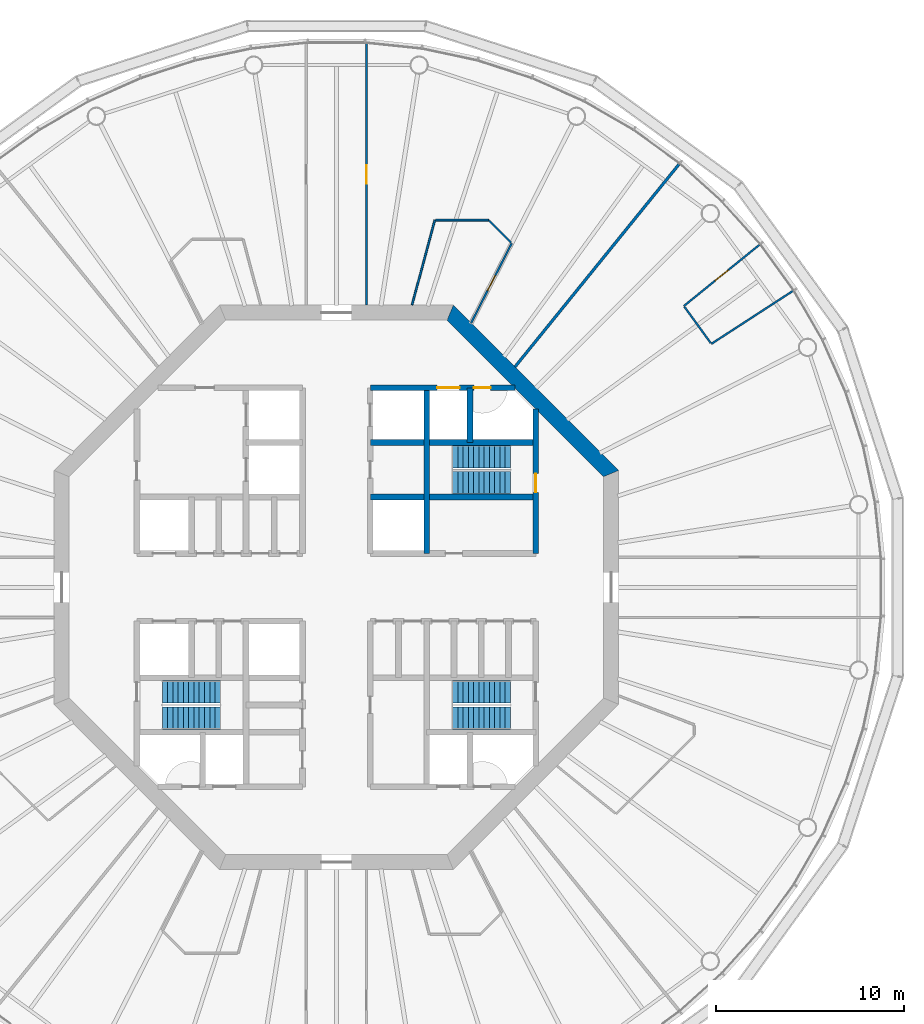
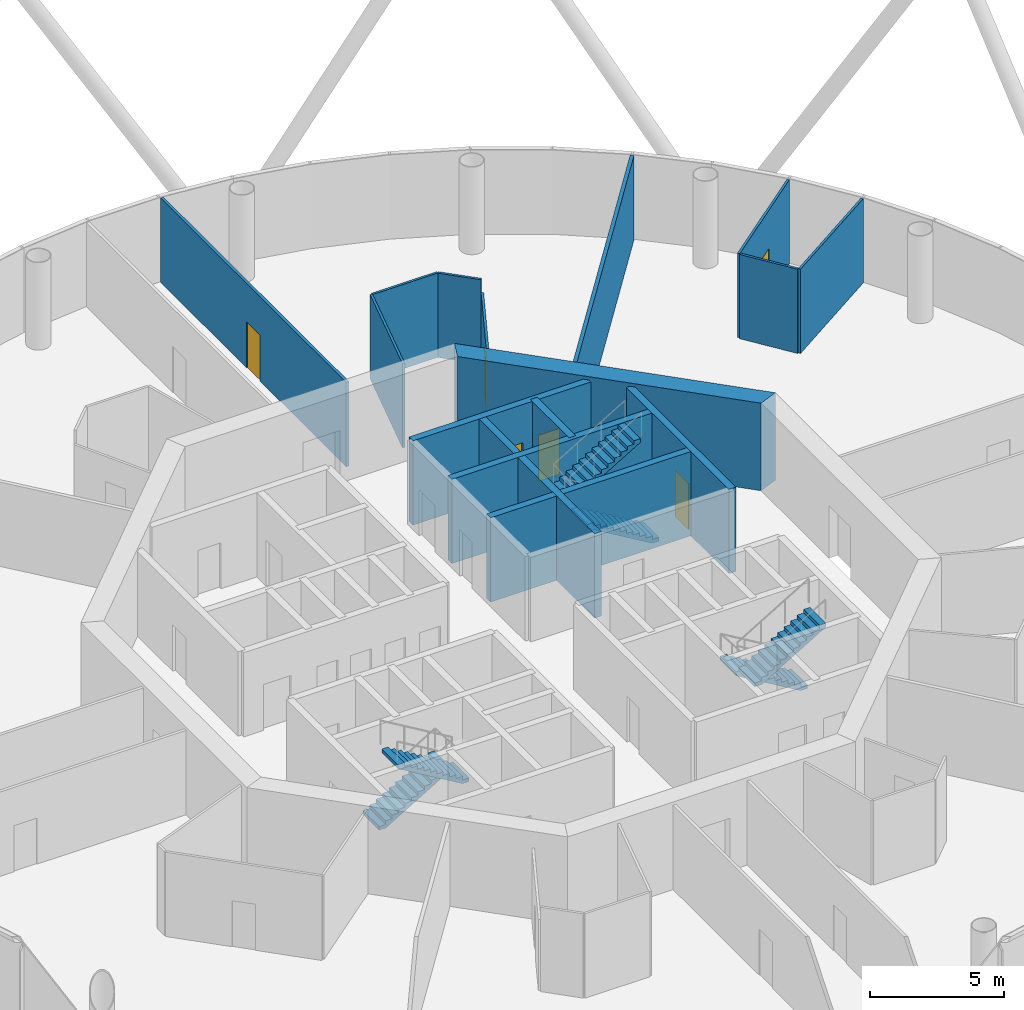
# One storey, part 6 of 13: 16 walls, 6 doors, 6 stair flights, 6 openings, 3 elements without a shape of their own.
"""IFC4 building model written with IfcOpenShell, lengths in metres."""

import ifcopenshell
import ifcopenshell.guid

model = None  # the IFC model being written
_history = None  # IfcOwnerHistory: only IFC2X3 demands one
_inside = {}  # id of a spatial element -> (the spatial element, [elements in it])
_under = {}  # id of a project, library or spatial element -> (it, [spatial elements below it])
_declared = {}  # id of a project -> (the project, [libraries it declares])
_typed = {}  # id of a type object -> (the type object, [elements of that type])
_made_of = {}  # id of a material, layer set ... -> (it, [elements and type objects made of it])


def new_model(schema):
    """Start an empty IFC model of exactly this schema.

    Asked for "IFC4X3", IfcOpenShell would pick the latest addendum, in which some entities
    have other attributes; the version numbers below select the first issue.
    IFC2X3 requires an IfcOwnerHistory on every rooted entity: one is made here for all.
    """
    global model, _history
    if schema == "IFC4X3":
        model = ifcopenshell.file(schema_version=(4, 3, 0, 0))
    else:
        model = ifcopenshell.file(schema=schema)
    _inside.clear()
    _under.clear()
    _declared.clear()
    _typed.clear()
    _made_of.clear()
    _history = None
    if model.schema == "IFC2X3":
        org = make("IfcOrganization", Name="unknown")
        user = make(
            "IfcPersonAndOrganization",
            ThePerson=make("IfcPerson", FamilyName="unknown"),
            TheOrganization=org,
        )
        app = make(
            "IfcApplication",
            ApplicationDeveloper=org,
            Version="unknown",
            ApplicationFullName="unknown",
            ApplicationIdentifier="unknown",
        )
        _history = make(
            "IfcOwnerHistory",
            OwningUser=user,
            OwningApplication=app,
            ChangeAction="ADDED",
            CreationDate=0,
        )
    return model


def make(cls, **values):
    """One entity of the class cls with the attributes given. An attribute that is None is left unset."""
    return model.create_entity(
        cls, **{name: value for name, value in values.items() if value is not None}
    )


def rooted(cls, **values):
    """An entity with a GlobalId (a new one), such as an element, a storey or a relation."""
    return make(cls, GlobalId=ifcopenshell.guid.new(), OwnerHistory=_history, **values)


def si_unit(unit_type, name, prefix=None):
    """IfcSIUnit, for example si_unit("LENGTHUNIT", "METRE", prefix="MILLI")."""
    return make("IfcSIUnit", UnitType=unit_type, Prefix=prefix, Name=name)


def assignment(units):
    """IfcUnitAssignment: the units of a project."""
    return None if units is None else make("IfcUnitAssignment", Units=units)


def point(xyz):
    """IfcCartesianPoint."""
    return None if xyz is None else make("IfcCartesianPoint", Coordinates=xyz)


def direction(xyz):
    """IfcDirection."""
    return None if xyz is None else make("IfcDirection", DirectionRatios=xyz)


def frame(location, z_axis=None, x_axis=None):
    """IfcAxis2Placement3D, a coordinate frame: its origin and axes. An axis left out is left unset."""
    return make(
        "IfcAxis2Placement3D",
        Location=point(location),
        Axis=direction(z_axis),
        RefDirection=direction(x_axis),
    )


def frame_2d(location, x_axis=None):
    """IfcAxis2Placement2D, a coordinate frame in the plane: its origin and x axis."""
    return make(
        "IfcAxis2Placement2D", Location=point(location), RefDirection=direction(x_axis)
    )


def origin():
    """The frame at (0, 0, 0) with its axes left unset."""
    return frame((0.0, 0.0, 0.0))


def place(relative_to, where):
    """IfcLocalPlacement: puts the frame where relative to a parent placement (None: the world)."""
    return make(
        "IfcLocalPlacement", PlacementRelTo=relative_to, RelativePlacement=where
    )


def context(
    kind, dimensions, precision=None, world=None, true_north=None, identifier=None
):
    """IfcGeometricRepresentationContext, for example the 3D "Model" context."""
    return make(
        "IfcGeometricRepresentationContext",
        ContextIdentifier=identifier,
        ContextType=kind,
        CoordinateSpaceDimension=dimensions,
        Precision=precision,
        WorldCoordinateSystem=world,
        TrueNorth=true_north,
    )


def subcontext(parent, identifier, kind, view, scale=None):
    """IfcGeometricRepresentationSubContext, for example "Body" below "Model"."""
    return make(
        "IfcGeometricRepresentationSubContext",
        ContextIdentifier=identifier,
        ContextType=kind,
        ParentContext=parent,
        TargetScale=scale,
        TargetView=view,
    )


def project(units=None, contexts=None):
    """IfcProject with its units and contexts."""
    return rooted(
        "IfcProject",
        Name="project",
        RepresentationContexts=contexts,
        UnitsInContext=assignment(units),
    )


def spatial(cls, under=None, at=None, **own):
    """A site, building, storey or space (cls), placed at a placement, below another one or the project."""
    s = rooted(cls, ObjectPlacement=at, **own)
    if under is not None:
        _under.setdefault(under.id(), (under, []))[1].append(s)
    return s


def polyline(points):
    """IfcPolyline through the points."""
    return make("IfcPolyline", Points=[point(p) for p in points])


def profile(cls, at=None, kind="AREA", **sizes):
    """A parametric profile (cls). Its sizes go by their IFC names, for example OverallWidth=200.0."""
    return make(cls, ProfileType=kind, Position=at, **sizes)


def rectangle(**sizes):
    """IfcRectangleProfileDef."""
    return profile("IfcRectangleProfileDef", **sizes)


def outline(outer, holes=None, kind="AREA"):
    """IfcArbitraryClosedProfileDef: a profile drawn as a closed curve; with holes, ...WithVoids."""
    if holes is None:
        return make("IfcArbitraryClosedProfileDef", ProfileType=kind, OuterCurve=outer)
    return make(
        "IfcArbitraryProfileDefWithVoids",
        ProfileType=kind,
        OuterCurve=outer,
        InnerCurves=holes,
    )


def extrude(swept, where, along, depth):
    """IfcExtrudedAreaSolid: the profile swept, set in the frame where, extruded along a direction by depth."""
    return make(
        "IfcExtrudedAreaSolid",
        SweptArea=swept,
        Position=where,
        ExtrudedDirection=direction(along),
        Depth=depth,
    )


def shape(context_of_items, identifier, shape_type, items):
    """IfcShapeRepresentation: the items that make up one representation, for example the "Body"."""
    return make(
        "IfcShapeRepresentation",
        ContextOfItems=context_of_items,
        RepresentationIdentifier=identifier,
        RepresentationType=shape_type,
        Items=items,
    )


def material(Name=None, Category=None):
    """IfcMaterial."""
    return make("IfcMaterial", Name=Name, Category=Category)


def layer(
    of_material, thickness, ventilated=None, Name=None, Category=None, Priority=None
):
    """IfcMaterialLayer: one layer of a wall or slab, of a material (None: an air gap)."""
    return make(
        "IfcMaterialLayer",
        Material=of_material,
        LayerThickness=thickness,
        IsVentilated=ventilated,
        Name=Name,
        Category=Category,
        Priority=Priority,
    )


def layer_set(layers, Name=None):
    """IfcMaterialLayerSet."""
    return make("IfcMaterialLayerSet", MaterialLayers=layers, LayerSetName=Name)


def made_of(thing, what):
    """Note that an element or type object is made of a material, layer set ...; save() writes the relation."""
    if what is not None:
        _made_of.setdefault(what.id(), (what, []))[1].append(thing)
    return thing


def type_object(cls, material=None, **own):
    """A type object (cls), such as IfcWallType, which elements share."""
    return made_of(rooted(cls, **own), material)


def element(
    cls,
    number,
    at=None,
    inside=None,
    cuts=None,
    type_object=None,
    material=None,
    context=None,
    identifier="Body",
    shape_type=None,
    held_by="IfcProductDefinitionShape",
    body=None,
    shapes=None,
    **own,
):
    """One element of the class cls, such as IfcWall. Its Tag is "e" and its number.

    at: its placement. inside: the storey or other place that contains it. cuts: it is an
    opening in that element (IfcRelVoidsElement). A single representation is given by context,
    identifier, shape_type and body (its items); several are given by shapes. held_by: the class
    of the entity that holds the representations. save() writes the other relations.
    """
    e = rooted(cls, Tag="e%d" % number, ObjectPlacement=at, **own)
    if body is not None:
        shapes = [shape(context, identifier, shape_type, body)]
    if shapes is not None:
        e.Representation = make(held_by, Representations=shapes)
    if inside is not None:
        _inside.setdefault(inside.id(), (inside, []))[1].append(e)
    if cuts is not None:
        rooted(
            "IfcRelVoidsElement", RelatingBuildingElement=cuts, RelatedOpeningElement=e
        )
    if type_object is not None:
        _typed.setdefault(type_object.id(), (type_object, []))[1].append(e)
    return made_of(e, material)


def fill(opening, filler):
    """IfcRelFillsElement: the door or window that sits in an opening."""
    return rooted(
        "IfcRelFillsElement",
        RelatingOpeningElement=opening,
        RelatedBuildingElement=filler,
    )


def aggregate(whole, parts):
    """IfcRelAggregates: a whole, such as a stair, and the parts it consists of."""
    return rooted("IfcRelAggregates", RelatingObject=whole, RelatedObjects=parts)


def save(model, path):
    """Write the relations noted so far, then the file.

    IfcRelAggregates (storeys below a building ...), IfcRelContainedInSpatialStructure (elements
    in a storey), IfcRelDefinesByType, IfcRelAssociatesMaterial and IfcRelDeclares: one each for
    every whole, place, type object, material and project.
    """
    for whole, parts in _under.values():
        aggregate(whole, parts)
    for where, things in _inside.values():
        rooted(
            "IfcRelContainedInSpatialStructure",
            RelatedElements=things,
            RelatingStructure=where,
        )
    for kind, things in _typed.values():
        rooted("IfcRelDefinesByType", RelatedObjects=things, RelatingType=kind)
    for what, things in _made_of.values():
        rooted("IfcRelAssociatesMaterial", RelatedObjects=things, RelatingMaterial=what)
    for by, libraries in _declared.values():
        rooted("IfcRelDeclares", RelatingContext=by, RelatedDefinitions=libraries)
    model.write(path)


model = new_model("IFC4")

# Units and contexts
model_context = context("Model", 3, precision=1e-05, world=origin(), true_north=direction((0.0, 1.0)))
body_context = subcontext(model_context, "Body", "Model", "MODEL_VIEW")
ifc_project = project(units=[si_unit("LENGTHUNIT", "METRE"), si_unit("AREAUNIT", "SQUARE_METRE"), si_unit("VOLUMEUNIT", "CUBIC_METRE"), si_unit("PLANEANGLEUNIT", "RADIAN"), si_unit("MASSUNIT", "GRAM", prefix="KILO")], contexts=[model_context])

# Site, building, storey
site_placement = place(None, origin())
site = spatial("IfcSite", under=ifc_project, at=site_placement, CompositionType="ELEMENT")
building_placement = place(site_placement, origin())
building = spatial("IfcBuilding", under=site, at=building_placement, Name="Entoto Ring Tower", CompositionType="ELEMENT")
storey_placement = place(building_placement, frame((0.0, 0.0, 294.0)))
storey = spatial("IfcBuildingStorey", under=building, at=storey_placement, Name="L67", CompositionType="ELEMENT", Elevation=294.0)

# Wall, opening, door
ifc_material_1 = material(Name="Concrete C40/50", Category="concrete")
ifc_layer_1 = layer(ifc_material_1, 0.300048828125)
ifc_layer_set_1 = layer_set([ifc_layer_1], Name="Concrete C40/50")
wall_type_1 = type_object("IfcWallType", Name="Core enclosure wall 300 mm reinforced concrete", PredefinedType="SOLIDWALL", material=ifc_layer_set_1)
wall_1_placement = place(storey_placement, frame((100.60009765625, 81.800048828125, 0.0), z_axis=(0.0, 0.0, 1.0), x_axis=(0.0, 1.0, 0.0)))
wall_1 = element("IfcWall", 1, at=wall_1_placement, inside=storey, type_object=wall_type_1, Name="wall-L67-002", PredefinedType="SOLIDWALL", context=body_context, shape_type="SweptSolid", body=[
    extrude(rectangle(XDim=7.681640625, YDim=0.300048828125, at=frame_2d((3.8408203125, 0.0))), origin(), (0.0, 0.0, 1.0), 3.85009765625),
])
opening_1_placement = place(wall_1_placement, frame((3.25, 0.0, 0.0)))
opening_1 = element("IfcOpeningElement", 2, at=opening_1_placement, cuts=wall_1, Name="Opening K-29", PredefinedType="OPENING", context=body_context, shape_type="SweptSolid", body=[
    extrude(rectangle(XDim=1.0, YDim=2.10009765625, at=frame_2d((0.5, 1.050048828125))), frame((0.0, 0.16015625, 0.0), z_axis=(0.0, -1.0, 0.0), x_axis=(1.0, 0.0, 0.0)), (0.0, 0.0, 1.0), 0.320068359375),
])
ifc_material_2 = material(Name="Steel door leaf, fire rated", Category="steel")
ifc_layer_2 = layer(ifc_material_2, 0.050048828125)
ifc_layer_set_2 = layer_set([ifc_layer_2], Name="Steel door leaf, fire rated")
door_type_1 = type_object("IfcDoorType", Name="Fire door FD60 1000 x 2100 single leaf", OperationType="NOTDEFINED", PredefinedType="DOOR", material=ifc_layer_set_2)
door_1_placement = place(opening_1_placement, origin())
door_1 = element("IfcDoor", 3, at=door_1_placement, inside=storey, type_object=door_type_1, Name="Door K-29", OperationType="SINGLE_SWING_LEFT", OverallHeight=2.10009765625, OverallWidth=1.0, PredefinedType="DOOR", context=body_context, shape_type="SweptSolid", body=[
    extrude(rectangle(XDim=1.0, YDim=2.10009765625, at=frame_2d((0.5, 1.050048828125))), frame((0.0, 0.02490234375, 0.0), z_axis=(0.0, -1.0, 0.0), x_axis=(1.0, 0.0, 0.0)), (0.0, 0.0, 1.0), 0.050048828125),
])
fill(opening_1, door_1)

# Walls
wall_2_placement = place(storey_placement, frame((97.10009765625, 87.699951171875, 0.0), z_axis=(0.0, 0.0, 1.0), x_axis=(0.0, 1.0, 0.0)))
element("IfcWall", 4, at=wall_2_placement, inside=storey, type_object=wall_type_1, Name="wall-L67-006", PredefinedType="SOLIDWALL", context=body_context, shape_type="SweptSolid", body=[
    extrude(rectangle(XDim=2.900146484375, YDim=0.300048828125, at=frame_2d((1.4501953125, 0.0))), origin(), (0.0, 0.0, 1.0), 3.85009765625),
])
for number, where, z_axis, x_axis, name in (
    (5, (94.800048828125, 81.800048828125, 0.0), (0.0, 0.0, 1.0), (0.0, 1.0, 0.0), "wall-L67-009"),
    (6, (91.800048828125, 84.800048828125, 0.0), (0.0, 0.0, 1.0), (1.0, 0.0, 0.0), "wall-L67-037"),
    (7, (91.800048828125, 87.699951171875, 0.0), (0.0, 0.0, 1.0), (1.0, 0.0, 0.0), "wall-L67-039"),
):
    element("IfcWall", number, at=place(storey_placement, frame(where, z_axis=z_axis, x_axis=x_axis)), inside=storey, type_object=wall_type_1, Name=name, PredefinedType="SOLIDWALL", context=body_context, shape_type="SweptSolid", body=[
        extrude(rectangle(XDim=8.800048828125, YDim=0.300048828125, at=frame_2d((4.39990234375, 0.0))), origin(), (0.0, 0.0, 1.0), 3.85009765625),
    ])

# Wall, openings, doors
wall_3_placement = place(storey_placement, frame((91.800048828125, 90.60009765625, 0.0), z_axis=(0.0, 0.0, 1.0), x_axis=(1.0, 0.0, 0.0)))
wall_3 = element("IfcWall", 8, at=wall_3_placement, inside=storey, type_object=wall_type_1, Name="wall-L67-041", PredefinedType="SOLIDWALL", context=body_context, shape_type="SweptSolid", body=[
    extrude(rectangle(XDim=7.681640625, YDim=0.300048828125, at=frame_2d((3.8408203125, 0.0))), origin(), (0.0, 0.0, 1.0), 3.85009765625),
])
opening_2_placement = place(wall_3_placement, frame((3.550048828125, 0.0, 0.0)))
opening_2 = element("IfcOpeningElement", 9, at=opening_2_placement, cuts=wall_3, Name="Opening LD", PredefinedType="OPENING", context=body_context, shape_type="SweptSolid", body=[
    extrude(rectangle(XDim=1.199951171875, YDim=2.10009765625, at=frame_2d((0.60009765625, 1.050048828125))), frame((0.0, 0.16015625, 0.0), z_axis=(0.0, -1.0, 0.0), x_axis=(1.0, 0.0, 0.0)), (0.0, 0.0, 1.0), 0.320068359375),
])
opening_3_placement = place(wall_3_placement, frame((5.5, 0.0, 0.0)))
opening_3 = element("IfcOpeningElement", 10, at=opening_3_placement, cuts=wall_3, Name="Opening K-32", PredefinedType="OPENING", context=body_context, shape_type="SweptSolid", body=[
    extrude(rectangle(XDim=0.89990234375, YDim=2.10009765625, at=frame_2d((0.449951171875, 1.050048828125))), frame((0.0, 0.16015625, 0.0), z_axis=(0.0, -1.0, 0.0), x_axis=(1.0, 0.0, 0.0)), (0.0, 0.0, 1.0), 0.320068359375),
])
ifc_material_3 = material(Name="Steel and glass door leaf", Category="steel")
ifc_layer_3 = layer(ifc_material_3, 0.050048828125)
ifc_layer_set_3 = layer_set([ifc_layer_3], Name="Steel and glass door leaf")
door_type_2 = type_object("IfcDoorType", Name="Landing door 1200 x 2100 sliding", OperationType="DOUBLE_DOOR_SLIDING", PredefinedType="DOOR", material=ifc_layer_set_3)
door_2_placement = place(opening_2_placement, origin())
door_2 = element("IfcDoor", 11, at=door_2_placement, inside=storey, type_object=door_type_2, Name="Landing door LB1-HR", OperationType="SLIDING_TO_RIGHT", OverallHeight=2.10009765625, OverallWidth=1.199951171875, PredefinedType="DOOR", context=body_context, shape_type="SweptSolid", body=[
    extrude(rectangle(XDim=1.199951171875, YDim=2.10009765625, at=frame_2d((0.60009765625, 1.050048828125))), frame((0.0, 0.02490234375, 0.0), z_axis=(0.0, -1.0, 0.0), x_axis=(1.0, 0.0, 0.0)), (0.0, 0.0, 1.0), 0.050048828125),
])
fill(opening_2, door_2)
ifc_material_4 = material(Name="Steel door leaf, fire rated", Category="steel")
ifc_layer_4 = layer(ifc_material_4, 0.050048828125)
ifc_layer_set_4 = layer_set([ifc_layer_4], Name="Steel door leaf, fire rated")
door_type_3 = type_object("IfcDoorType", Name="Riser door FD60 900 x 2100 single leaf", OperationType="NOTDEFINED", PredefinedType="DOOR", material=ifc_layer_set_4)
door_3_placement = place(opening_3_placement, frame((0.89990234375, 0.0, 0.0), z_axis=(0.0, 0.0, 1.0), x_axis=(-1.0, 0.0, 0.0)))
door_3 = element("IfcDoor", 12, at=door_3_placement, inside=storey, type_object=door_type_3, Name="Door K-32", OperationType="SINGLE_SWING_RIGHT", OverallHeight=2.10009765625, OverallWidth=0.89990234375, PredefinedType="DOOR", context=body_context, shape_type="SweptSolid", body=[
    extrude(rectangle(XDim=0.89990234375, YDim=2.10009765625, at=frame_2d((0.449951171875, 1.050048828125))), frame((0.0, 0.02490234375, 0.0), z_axis=(0.0, -1.0, 0.0), x_axis=(1.0, 0.0, 0.0)), (0.0, 0.0, 1.0), 0.050048828125),
])
fill(opening_3, door_3)

# Wall
ifc_material_5 = material(Name="Concrete C40/50", Category="concrete")
ifc_layer_5 = layer(ifc_material_5, 0.800048828125)
ifc_layer_set_5 = layer_set([ifc_layer_5], Name="Concrete C40/50")
wall_type_2 = type_object("IfcWallType", Name="Core shear wall 800 mm reinforced concrete C40/50", PredefinedType="SHEAR", material=ifc_layer_set_5)
wall_4_placement = place(storey_placement, frame((104.60009765625, 86.047607421875, 0.0), z_axis=(0.0, 0.0, 1.0), x_axis=(-0.707106781187, 0.707106781187, 0.0)))
element("IfcWall", 13, at=wall_4_placement, inside=storey, type_object=wall_type_2, Name="wall-L67-core-1", PredefinedType="SHEAR", context=body_context, shape_type="SweptSolid", body=[
    extrude(outline(polyline([(-0.165771484375, -0.39990234375), (12.2607421875, -0.39990234375), (11.92919921875, 0.39990234375), (0.165771484375, 0.39990234375), (-0.165771484375, -0.39990234375)])), origin(), (0.0, 0.0, 1.0), 4.0),
])

# Wall, opening, door
ifc_material_6 = material(Name="Fire-resisting plasterboard on steel studs", Category="steel")
ifc_layer_6 = layer(ifc_material_6, 0.125)
ifc_layer_set_6 = layer_set([ifc_layer_6], Name="Fire-resisting plasterboard on steel studs")
wall_type_3 = type_object("IfcWallType", Name="Corridor wall 125 mm one-hour plasterboard on steel studs", PredefinedType="PARTITIONING", material=ifc_layer_set_6)
wall_5_placement = place(storey_placement, frame((91.60009765625, 95.0, 0.0), z_axis=(0.0, 0.0, 1.0), x_axis=(0.0, 1.0, 0.0)))
wall_5 = element("IfcWall", 14, at=wall_5_placement, inside=storey, type_object=wall_type_3, Name="partition-L67-006", PredefinedType="PARTITIONING", context=body_context, shape_type="SweptSolid", body=[
    extrude(rectangle(XDim=13.891357421875, YDim=0.125, at=frame_2d((6.94580078125, 0.0))), origin(), (0.0, 0.0, 1.0), 3.85009765625),
])
opening_4_placement = place(wall_5_placement, frame((6.44580078125, 0.0, 0.0)))
opening_4 = element("IfcOpeningElement", 15, at=opening_4_placement, cuts=wall_5, Name="Opening A29-D03", PredefinedType="OPENING", context=body_context, shape_type="SweptSolid", body=[
    extrude(rectangle(XDim=1.0, YDim=2.10009765625, at=frame_2d((0.5, 1.050048828125))), frame((0.0, 0.072509765625, 0.0), z_axis=(0.0, -1.0, 0.0), x_axis=(1.0, 0.0, 0.0)), (0.0, 0.0, 1.0), 0.14501953125),
])
ifc_material_7 = material(Name="Fire-resisting timber door set", Category="wood")
door_type_4 = type_object("IfcDoorType", Name="Door 1000 x 2100 single leaf FD30S fire door", OperationType="NOTDEFINED", PredefinedType="DOOR", material=ifc_material_7)
door_4_placement = place(opening_4_placement, frame((1.0, 0.0, 0.0), z_axis=(0.0, 0.0, 1.0), x_axis=(-1.0, 0.0, 0.0)))
door_4 = element("IfcDoor", 16, at=door_4_placement, inside=storey, type_object=door_type_4, Name="Door A29-D03", OperationType="SINGLE_SWING_LEFT", OverallHeight=2.10009765625, OverallWidth=1.0, PredefinedType="DOOR", context=body_context, shape_type="SweptSolid", body=[
    extrude(rectangle(XDim=1.0, YDim=2.10009765625, at=frame_2d((0.5, 1.050048828125))), frame((0.0, 0.02490234375, 0.0), z_axis=(0.0, -1.0, 0.0), x_axis=(1.0, 0.0, 0.0)), (0.0, 0.0, 1.0), 0.050048828125),
])
fill(opening_4, door_4)

ifc_material_8 = material(Name="Plasterboard on steel studs", Category="steel")
ifc_layer_7 = layer(ifc_material_8, 0.10009765625)
ifc_layer_set_7 = layer_set([ifc_layer_7], Name="Plasterboard on steel studs")
wall_type_4 = type_object("IfcWallType", Name="Partition 100 mm plasterboard on steel studs", PredefinedType="PARTITIONING", material=ifc_layer_set_7)
wall_6_placement = place(storey_placement, frame((108.465087890625, 94.95263671875, 0.0), z_axis=(0.0, 0.0, 1.0), x_axis=(0.777139487063, 0.629328386176, 0.0)))
wall_6 = element("IfcWall", 17, at=wall_6_placement, inside=storey, type_object=wall_type_4, Name="partition-L67-015", PredefinedType="PARTITIONING", context=body_context, shape_type="SweptSolid", body=[
    extrude(rectangle(XDim=5.1796875, YDim=0.10009765625, at=frame_2d((2.58984375, 0.0))), origin(), (0.0, 0.0, 1.0), 3.85009765625),
])
opening_5_placement = place(wall_6_placement, frame((2.139892578125, 0.0, 0.0)))
opening_5 = element("IfcOpeningElement", 18, at=opening_5_placement, cuts=wall_6, Name="Opening A29-D02", PredefinedType="OPENING", context=body_context, shape_type="SweptSolid", body=[
    extrude(rectangle(XDim=0.89990234375, YDim=2.10009765625, at=frame_2d((0.449951171875, 1.050048828125))), frame((0.0, 0.06005859375, 0.0), z_axis=(0.0, -1.0, 0.0), x_axis=(1.0, 0.0, 0.0)), (0.0, 0.0, 1.0), 0.1201171875),
])
ifc_material_9 = material(Name="Veneered timber door leaf in timber frame", Category="wood")
door_type_5 = type_object("IfcDoorType", Name="Door 900 x 2100 single leaf timber veneer", OperationType="NOTDEFINED", PredefinedType="DOOR", material=ifc_material_9)
door_5_placement = place(opening_5_placement, frame((0.89990234375, 0.0, 0.0), z_axis=(0.0, 0.0, 1.0), x_axis=(-1.0, 0.0, 0.0)))
door_5 = element("IfcDoor", 19, at=door_5_placement, inside=storey, type_object=door_type_5, Name="Door A29-D02", OperationType="SINGLE_SWING_LEFT", OverallHeight=2.10009765625, OverallWidth=0.89990234375, PredefinedType="DOOR", context=body_context, shape_type="SweptSolid", body=[
    extrude(rectangle(XDim=0.89990234375, YDim=2.10009765625, at=frame_2d((0.449951171875, 1.050048828125))), frame((0.0, 0.02490234375, 0.0), z_axis=(0.0, -1.0, 0.0), x_axis=(1.0, 0.0, 0.0)), (0.0, 0.0, 1.0), 0.050048828125),
])
fill(opening_5, door_5)

# Walls
wall_7_placement = place(storey_placement, frame((109.9267578125, 92.940673828125, 0.0), z_axis=(0.0, 0.0, 1.0), x_axis=(0.838661067594, 0.544653663994, 0.0)))
element("IfcWall", 20, at=wall_7_placement, inside=storey, type_object=wall_type_4, Name="partition-L67-016", PredefinedType="PARTITIONING", context=body_context, shape_type="SweptSolid", body=[
    extrude(rectangle(XDim=5.179931640625, YDim=0.10009765625, at=frame_2d((2.58984375, 0.0))), origin(), (0.0, 0.0, 1.0), 3.85009765625),
])
wall_8_placement = place(storey_placement, frame((94.019287109375, 95.0, 0.0), z_axis=(0.0, 0.0, 1.0), x_axis=(0.258828228202, 0.965923365638, 0.0)))
element("IfcWall", 21, at=wall_8_placement, inside=storey, type_object=wall_type_4, Name="partition-L67-019", PredefinedType="PARTITIONING", context=body_context, shape_type="SweptSolid", body=[
    extrude(rectangle(XDim=4.679443359375, YDim=0.10009765625, at=frame_2d((2.33984375, 0.0))), origin(), (0.0, 0.0, 1.0), 3.85009765625),
])
wall_9_placement = place(storey_placement, frame((95.278564453125, 99.52001953125, 0.0), z_axis=(0.0, 0.0, 1.0), x_axis=(1.0, 0.0, 0.0)))
element("IfcWall", 22, at=wall_9_placement, inside=storey, type_object=wall_type_4, Name="partition-L67-031", PredefinedType="PARTITIONING", context=body_context, shape_type="SweptSolid", body=[
    extrude(rectangle(XDim=2.806884765625, YDim=0.10009765625, at=frame_2d((1.4033203125, 0.0))), origin(), (0.0, 0.0, 1.0), 3.85009765625),
])
wall_10_placement = place(storey_placement, frame((109.8974609375, 92.98095703125, 0.0), z_axis=(0.0, 0.0, 1.0), x_axis=(-0.587739872893, 0.809049962494, 0.0)))
element("IfcWall", 23, at=wall_10_placement, inside=storey, type_object=wall_type_4, Name="partition-L67-036", PredefinedType="PARTITIONING", context=body_context, shape_type="SweptSolid", body=[
    extrude(rectangle(XDim=2.38720703125, YDim=0.10009765625, at=frame_2d((1.193603515625, 0.0))), origin(), (0.0, 0.0, 1.0), 3.85009765625),
])
wall_11_placement = place(storey_placement, frame((99.284423828125, 98.321044921875, 0.0), z_axis=(0.0, 0.0, 1.0), x_axis=(-0.707106781187, 0.707106781187, 0.0)))
element("IfcWall", 24, at=wall_11_placement, inside=storey, type_object=wall_type_4, Name="partition-L67-037", PredefinedType="PARTITIONING", context=body_context, shape_type="SweptSolid", body=[
    extrude(rectangle(XDim=1.660400390625, YDim=0.10009765625, at=frame_2d((0.830078125, 0.0))), origin(), (0.0, 0.0, 1.0), 3.85009765625),
])

# Wall, opening, door
ifc_material_10 = material(Name="Plasterboard on steel studs", Category="steel")
ifc_layer_8 = layer(ifc_material_10, 0.10009765625)
ifc_layer_set_8 = layer_set([ifc_layer_8], Name="Plasterboard on steel studs")
wall_type_5 = type_object("IfcWallType", Name="Partition 100 mm plasterboard on steel studs, 3250 mm high", PredefinedType="PARTITIONING", material=ifc_layer_set_8)
wall_12_placement = place(storey_placement, frame((97.160400390625, 94.052978515625, 0.0), z_axis=(0.0, 0.0, 1.0), x_axis=(0.453961179958, 0.891021462756, 0.0)))
wall_12 = element("IfcWall", 25, at=wall_12_placement, inside=storey, type_object=wall_type_5, Name="partition-L67-018", PredefinedType="PARTITIONING", context=body_context, shape_type="SweptSolid", body=[
    extrude(rectangle(XDim=4.75244140625, YDim=0.10009765625, at=frame_2d((2.376220703125, 0.0))), origin(), (0.0, 0.0, 1.0), 3.25),
])
opening_6_placement = place(wall_12_placement, frame((1.92626953125, 0.0, 0.0)))
opening_6 = element("IfcOpeningElement", 26, at=opening_6_placement, cuts=wall_12, Name="Opening A29-D04", PredefinedType="OPENING", context=body_context, shape_type="SweptSolid", body=[
    extrude(rectangle(XDim=0.89990234375, YDim=2.10009765625, at=frame_2d((0.449951171875, 1.050048828125))), frame((0.0, 0.06005859375, 0.0), z_axis=(0.0, -1.0, 0.0), x_axis=(1.0, 0.0, 0.0)), (0.0, 0.0, 1.0), 0.1201171875),
])
door_6_placement = place(opening_6_placement, origin())
door_6 = element("IfcDoor", 27, at=door_6_placement, inside=storey, type_object=door_type_5, Name="Door A29-D04", OperationType="SINGLE_SWING_LEFT", OverallHeight=2.10009765625, OverallWidth=0.89990234375, PredefinedType="DOOR", context=body_context, shape_type="SweptSolid", body=[
    extrude(rectangle(XDim=0.89990234375, YDim=2.10009765625, at=frame_2d((0.449951171875, 1.050048828125))), frame((0.0, 0.02490234375, 0.0), z_axis=(0.0, -1.0, 0.0), x_axis=(1.0, 0.0, 0.0)), (0.0, 0.0, 1.0), 0.050048828125),
])
fill(opening_6, door_6)

# Wall
ifc_material_11 = material(Name="Fire-resisting acoustic plasterboard on steel studs", Category="steel")
ifc_layer_9 = layer(ifc_material_11, 0.14990234375)
ifc_layer_set_9 = layer_set([ifc_layer_9], Name="Fire-resisting acoustic plasterboard on steel studs")
wall_type_6 = type_object("IfcWallType", Name="Party wall 150 mm one-hour acoustic plasterboard on steel studs", PredefinedType="PARTITIONING", material=ifc_layer_set_9)
wall_13_placement = place(storey_placement, frame((99.49169921875, 91.721435546875, 0.0), z_axis=(0.0, 0.0, 1.0), x_axis=(0.629324927109, 0.777142288207, 0.0)))
element("IfcWall", 28, at=wall_13_placement, inside=storey, type_object=wall_type_6, Name="partition-L67-011", PredefinedType="PARTITIONING", context=body_context, shape_type="SweptSolid", body=[
    extrude(rectangle(XDim=13.857177734375, YDim=0.14990234375, at=frame_2d((6.9287109375, 0.0))), origin(), (0.0, 0.0, 1.0), 3.85009765625),
])

# Stair, stair flights
ifc_material_12 = material(Name="Concrete C40/50", Category="concrete")
stair_type = type_object("IfcStairType", Name="Exit stair 1200 mm dog-leg reinforced concrete", PredefinedType="HALF_TURN_STAIR", material=ifc_material_12)
stair_1_placement = place(storey_placement, origin())
stair_1 = element("IfcStair", 29, at=stair_1_placement, inside=storey, type_object=stair_type, Name="Exit stair 1", PredefinedType="HALF_TURN_STAIR")
ifc_material_13 = material(Name="Concrete C40/50", Category="concrete")
stair_flight_type = type_object("IfcStairFlightType", Name="Stair flight 1200 mm reinforced concrete", PredefinedType="STRAIGHT", material=ifc_material_13)
stair_flight_1_placement = place(storey_placement, frame((99.25, 85.550048828125, 0.0), z_axis=(0.0, 0.0, 1.0), x_axis=(-1.0, 0.0, 0.0)))
stair_flight_1 = element("IfcStairFlight", 30, at=stair_flight_1_placement, type_object=stair_flight_type, Name="ST1 flight 1", NumberOfRisers=12, NumberOfTreads=11, PredefinedType="STRAIGHT", RiserHeight=0.166666667, TreadLength=0.28, context=body_context, shape_type="SweptSolid", body=[
    extrude(outline(polyline([(0.0, 0.0), (0.0, 0.166748046875), (0.280029296875, 0.166748046875), (0.280029296875, 0.333251953125), (0.56005859375, 0.333251953125), (0.56005859375, 0.5), (0.840087890625, 0.5), (0.840087890625, 0.666748046875), (1.1201171875, 0.666748046875), (1.1201171875, 0.833251953125), (1.39990234375, 0.833251953125), (1.39990234375, 1.0), (1.679931640625, 1.0), (1.679931640625, 1.166748046875), (1.9599609375, 1.166748046875), (1.9599609375, 1.333251953125), (2.239990234375, 1.333251953125), (2.239990234375, 1.5), (2.52001953125, 1.5), (2.52001953125, 1.666748046875), (2.800048828125, 1.666748046875), (2.800048828125, 1.833251953125), (3.080078125, 1.833251953125), (3.080078125, 2.0), (3.080078125, 1.658935546875), (0.29296875, 0.0), (0.0, 0.0)])), frame((0.0, 0.60009765625, 0.0), z_axis=(0.0, -1.0, 0.0), x_axis=(1.0, 0.0, 0.0)), (0.0, 0.0, 1.0), 1.199951171875),
])
stair_flight_2_placement = place(storey_placement, frame((96.169921875, 86.949951171875, 2.0), z_axis=(0.0, 0.0, 1.0), x_axis=(1.0, 0.0, 0.0)))
stair_flight_2 = element("IfcStairFlight", 31, at=stair_flight_2_placement, type_object=stair_flight_type, Name="ST1 flight 2", NumberOfRisers=12, NumberOfTreads=11, PredefinedType="STRAIGHT", RiserHeight=0.166666667, TreadLength=0.28, context=body_context, shape_type="SweptSolid", body=[
    extrude(outline(polyline([(0.0, 0.0), (0.0, 0.166748046875), (0.280029296875, 0.166748046875), (0.280029296875, 0.333251953125), (0.56005859375, 0.333251953125), (0.56005859375, 0.5), (0.840087890625, 0.5), (0.840087890625, 0.666748046875), (1.1201171875, 0.666748046875), (1.1201171875, 0.833251953125), (1.39990234375, 0.833251953125), (1.39990234375, 1.0), (1.679931640625, 1.0), (1.679931640625, 1.166748046875), (1.9599609375, 1.166748046875), (1.9599609375, 1.333251953125), (2.239990234375, 1.333251953125), (2.239990234375, 1.5), (2.52001953125, 1.5), (2.52001953125, 1.666748046875), (2.800048828125, 1.666748046875), (2.800048828125, 1.833251953125), (3.080078125, 1.833251953125), (3.080078125, 2.0), (3.080078125, 1.658935546875), (0.29296875, 0.0), (0.0, 0.0)])), frame((0.0, 0.60009765625, 0.0), z_axis=(0.0, -1.0, 0.0), x_axis=(1.0, 0.0, 0.0)), (0.0, 0.0, 1.0), 1.199951171875),
])
aggregate(stair_1, [stair_flight_1, stair_flight_2])

stair_2_placement = place(storey_placement, origin())
stair_2 = element("IfcStair", 32, at=stair_2_placement, inside=storey, type_object=stair_type, Name="Exit stair 2", PredefinedType="HALF_TURN_STAIR")
stair_flight_3_placement = place(storey_placement, frame((80.75, 74.449951171875, 0.0), z_axis=(0.0, 0.0, 1.0), x_axis=(1.0, 0.0, 0.0)))
stair_flight_3 = element("IfcStairFlight", 33, at=stair_flight_3_placement, type_object=stair_flight_type, Name="ST2 flight 1", NumberOfRisers=12, NumberOfTreads=11, PredefinedType="STRAIGHT", RiserHeight=0.166666667, TreadLength=0.28, context=body_context, shape_type="SweptSolid", body=[
    extrude(outline(polyline([(0.0, 0.0), (0.0, 0.166748046875), (0.280029296875, 0.166748046875), (0.280029296875, 0.333251953125), (0.56005859375, 0.333251953125), (0.56005859375, 0.5), (0.840087890625, 0.5), (0.840087890625, 0.666748046875), (1.1201171875, 0.666748046875), (1.1201171875, 0.833251953125), (1.39990234375, 0.833251953125), (1.39990234375, 1.0), (1.679931640625, 1.0), (1.679931640625, 1.166748046875), (1.9599609375, 1.166748046875), (1.9599609375, 1.333251953125), (2.239990234375, 1.333251953125), (2.239990234375, 1.5), (2.52001953125, 1.5), (2.52001953125, 1.666748046875), (2.800048828125, 1.666748046875), (2.800048828125, 1.833251953125), (3.080078125, 1.833251953125), (3.080078125, 2.0), (3.080078125, 1.658935546875), (0.29296875, 0.0), (0.0, 0.0)])), frame((0.0, 0.60009765625, 0.0), z_axis=(0.0, -1.0, 0.0), x_axis=(1.0, 0.0, 0.0)), (0.0, 0.0, 1.0), 1.199951171875),
])
stair_flight_4_placement = place(storey_placement, frame((83.830078125, 73.050048828125, 2.0), z_axis=(0.0, 0.0, 1.0), x_axis=(-1.0, 0.0, 0.0)))
stair_flight_4 = element("IfcStairFlight", 34, at=stair_flight_4_placement, type_object=stair_flight_type, Name="ST2 flight 2", NumberOfRisers=12, NumberOfTreads=11, PredefinedType="STRAIGHT", RiserHeight=0.166666667, TreadLength=0.28, context=body_context, shape_type="SweptSolid", body=[
    extrude(outline(polyline([(0.0, 0.0), (0.0, 0.166748046875), (0.280029296875, 0.166748046875), (0.280029296875, 0.333251953125), (0.56005859375, 0.333251953125), (0.56005859375, 0.5), (0.840087890625, 0.5), (0.840087890625, 0.666748046875), (1.1201171875, 0.666748046875), (1.1201171875, 0.833251953125), (1.39990234375, 0.833251953125), (1.39990234375, 1.0), (1.679931640625, 1.0), (1.679931640625, 1.166748046875), (1.9599609375, 1.166748046875), (1.9599609375, 1.333251953125), (2.239990234375, 1.333251953125), (2.239990234375, 1.5), (2.52001953125, 1.5), (2.52001953125, 1.666748046875), (2.800048828125, 1.666748046875), (2.800048828125, 1.833251953125), (3.080078125, 1.833251953125), (3.080078125, 2.0), (3.080078125, 1.658935546875), (0.29296875, 0.0), (0.0, 0.0)])), frame((0.0, 0.60009765625, 0.0), z_axis=(0.0, -1.0, 0.0), x_axis=(1.0, 0.0, 0.0)), (0.0, 0.0, 1.0), 1.199951171875),
])
aggregate(stair_2, [stair_flight_3, stair_flight_4])

stair_3_placement = place(storey_placement, origin())
stair_3 = element("IfcStair", 35, at=stair_3_placement, inside=storey, type_object=stair_type, Name="Exit stair 3", PredefinedType="HALF_TURN_STAIR")
stair_flight_5_placement = place(storey_placement, frame((99.25, 74.449951171875, 0.0), z_axis=(0.0, 0.0, 1.0), x_axis=(-1.0, 0.0, 0.0)))
stair_flight_5 = element("IfcStairFlight", 36, at=stair_flight_5_placement, type_object=stair_flight_type, Name="ST3 flight 1", NumberOfRisers=12, NumberOfTreads=11, PredefinedType="STRAIGHT", RiserHeight=0.166666667, TreadLength=0.28, context=body_context, shape_type="SweptSolid", body=[
    extrude(outline(polyline([(0.0, 0.0), (0.0, 0.166748046875), (0.280029296875, 0.166748046875), (0.280029296875, 0.333251953125), (0.56005859375, 0.333251953125), (0.56005859375, 0.5), (0.840087890625, 0.5), (0.840087890625, 0.666748046875), (1.1201171875, 0.666748046875), (1.1201171875, 0.833251953125), (1.39990234375, 0.833251953125), (1.39990234375, 1.0), (1.679931640625, 1.0), (1.679931640625, 1.166748046875), (1.9599609375, 1.166748046875), (1.9599609375, 1.333251953125), (2.239990234375, 1.333251953125), (2.239990234375, 1.5), (2.52001953125, 1.5), (2.52001953125, 1.666748046875), (2.800048828125, 1.666748046875), (2.800048828125, 1.833251953125), (3.080078125, 1.833251953125), (3.080078125, 2.0), (3.080078125, 1.658935546875), (0.29296875, 0.0), (0.0, 0.0)])), frame((0.0, 0.60009765625, 0.0), z_axis=(0.0, -1.0, 0.0), x_axis=(1.0, 0.0, 0.0)), (0.0, 0.0, 1.0), 1.199951171875),
])
stair_flight_6_placement = place(storey_placement, frame((96.169921875, 73.050048828125, 2.0), z_axis=(0.0, 0.0, 1.0), x_axis=(1.0, 0.0, 0.0)))
stair_flight_6 = element("IfcStairFlight", 37, at=stair_flight_6_placement, type_object=stair_flight_type, Name="ST3 flight 2", NumberOfRisers=12, NumberOfTreads=11, PredefinedType="STRAIGHT", RiserHeight=0.166666667, TreadLength=0.28, context=body_context, shape_type="SweptSolid", body=[
    extrude(outline(polyline([(0.0, 0.0), (0.0, 0.166748046875), (0.280029296875, 0.166748046875), (0.280029296875, 0.333251953125), (0.56005859375, 0.333251953125), (0.56005859375, 0.5), (0.840087890625, 0.5), (0.840087890625, 0.666748046875), (1.1201171875, 0.666748046875), (1.1201171875, 0.833251953125), (1.39990234375, 0.833251953125), (1.39990234375, 1.0), (1.679931640625, 1.0), (1.679931640625, 1.166748046875), (1.9599609375, 1.166748046875), (1.9599609375, 1.333251953125), (2.239990234375, 1.333251953125), (2.239990234375, 1.5), (2.52001953125, 1.5), (2.52001953125, 1.666748046875), (2.800048828125, 1.666748046875), (2.800048828125, 1.833251953125), (3.080078125, 1.833251953125), (3.080078125, 2.0), (3.080078125, 1.658935546875), (0.29296875, 0.0), (0.0, 0.0)])), frame((0.0, 0.60009765625, 0.0), z_axis=(0.0, -1.0, 0.0), x_axis=(1.0, 0.0, 0.0)), (0.0, 0.0, 1.0), 1.199951171875),
])
aggregate(stair_3, [stair_flight_5, stair_flight_6])

save(model, "model.ifc")
